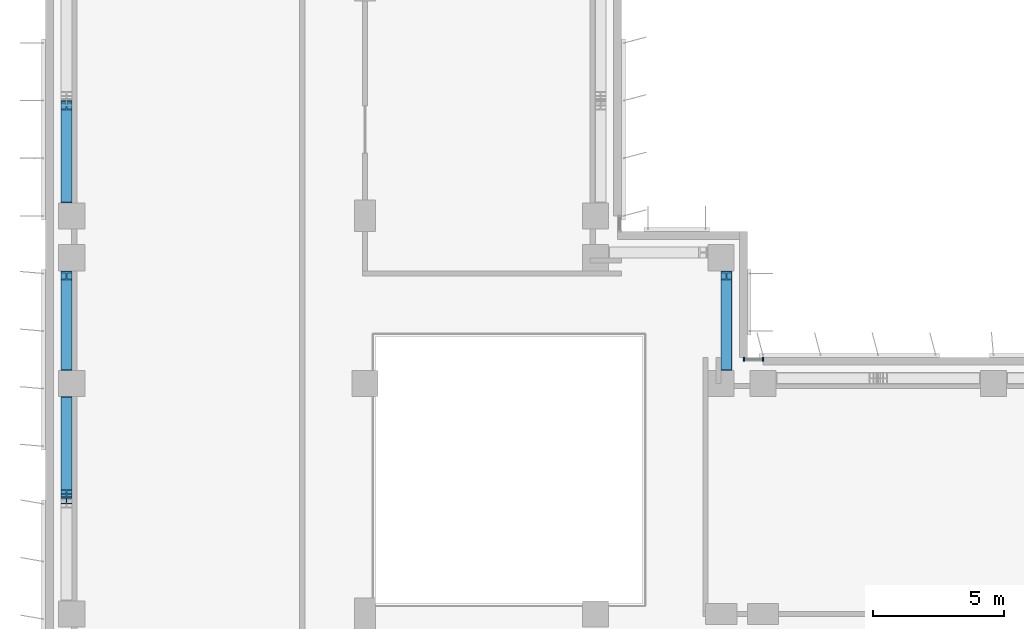
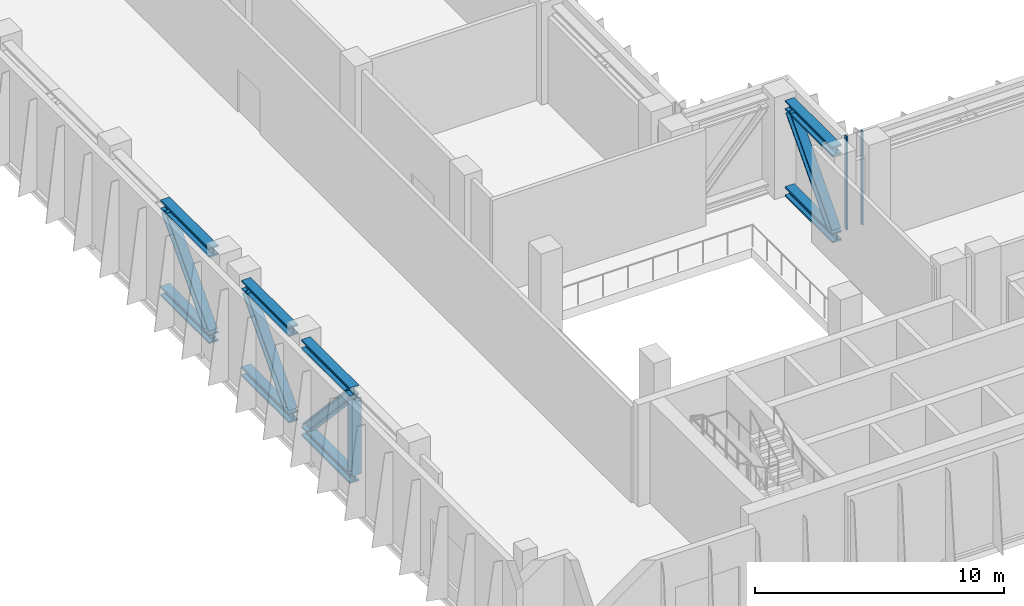
# One storey, part 2 of 17: 8 beams, 7 members, 1 element without a shape of its own.
"""IFC4 building model written with IfcOpenShell, lengths in metres."""

from ifc_helpers import new_model, si_unit, direction, frame, origin, origin_2d, place, context, subcontext, project, spatial, rectangle, i_section, extrude, source, transform, mapped, material, material_profile, profile_set, type_object, element, aggregate, save


model = new_model("IFC4")

# Units and contexts
model_context = context("Model", 3, precision=1e-05, world=origin(), true_north=direction((0.0, 1.0)))
body_context = subcontext(model_context, "Body", "Model", "MODEL_VIEW")
ifc_project = project(units=[si_unit("LENGTHUNIT", "METRE"), si_unit("AREAUNIT", "SQUARE_METRE"), si_unit("VOLUMEUNIT", "CUBIC_METRE"), si_unit("PLANEANGLEUNIT", "RADIAN"), si_unit("MASSUNIT", "GRAM", prefix="KILO")], contexts=[model_context])

# Site, building, storey
site_placement = place(None, origin())
site = spatial("IfcSite", under=ifc_project, at=site_placement, CompositionType="ELEMENT")
building_placement = place(site_placement, origin())
building = spatial("IfcBuilding", under=site, at=building_placement, Name="Kemantara Hotel Tower", CompositionType="ELEMENT")
storey_placement = place(building_placement, frame((0.0, 0.0, 193.800048828125)))
storey = spatial("IfcBuildingStorey", under=building, at=storey_placement, Name="L48", CompositionType="ELEMENT", Elevation=193.800048828125)

# Beams
ifc_material_1 = material(Name="Steel ASTM A992 Grade 50", Category="steel")
ifc_material_profile_1 = material_profile(ifc_material_1, i_section(OverallWidth=0.424072265625, OverallDepth=0.47509765625, WebThickness=0.0478515625, FlangeThickness=0.0771484375, at=origin_2d()), Name="W360X634")
ifc_profile_set_1 = profile_set([ifc_material_profile_1], Name="Steel ASTM A992 Grade 50")
beam_type = type_object("IfcBeamType", Name="BELT L48 TRUSS CHORD W360X634", PredefinedType="BEAM", material=ifc_profile_set_1)
for number, where, z_axis, x_axis, name in (
    (1, (0.800048828125, 16.60009765625, 0.237548828125), (0.0, 1.0, 0.0), (-1.0, 0.0, 0.0), "BELT L48 BAY 1 bottom chord 2"),
    (2, (0.800048828125, 16.60009765625, 4.46240234375), (0.0, 1.0, 0.0), (-1.0, 0.0, 0.0), "BELT L48 BAY 1 top chord 2"),
):
    element("IfcBeam", number, at=place(storey_placement, frame(where, z_axis=z_axis, x_axis=x_axis)), inside=storey, type_object=beam_type, Name=name, PredefinedType="BEAM", context=body_context, shape_type="SweptSolid", body=[
        extrude(i_section(OverallWidth=0.424072265625, OverallDepth=0.47509765625, WebThickness=0.0478515625, FlangeThickness=0.0771484375, at=origin_2d()), origin(), (0.0, 0.0, 1.0), 3.89990234375),
    ])
for number, where, z_axis, x_axis, name in (
    (3, (0.800048828125, 21.5, 0.237548828125), (0.0, 1.0, 0.0), (-1.0, 0.0, 0.0), "BELT L48 BAY 2 bottom chord 1"),
    (4, (0.800048828125, 21.5, 4.46240234375), (0.0, 1.0, 0.0), (-1.0, 0.0, 0.0), "BELT L48 BAY 2 top chord 1"),
):
    element("IfcBeam", number, at=place(storey_placement, frame(where, z_axis=z_axis, x_axis=x_axis)), inside=storey, type_object=beam_type, Name=name, PredefinedType="BEAM", context=body_context, shape_type="SweptSolid", body=[
        extrude(i_section(OverallWidth=0.424072265625, OverallDepth=0.47509765625, WebThickness=0.0478515625, FlangeThickness=0.0771484375, at=origin_2d()), origin(), (0.0, 0.0, 1.0), 3.800048828125),
    ])
for number, where, z_axis, x_axis, name in (
    (5, (0.800048828125, 27.89990234375, 0.237548828125), (0.0, 1.0, 0.0), (-1.0, 0.0, 0.0), "BELT L48 BAY 4 bottom chord 1"),
    (6, (0.800048828125, 27.89990234375, 4.46240234375), (0.0, 1.0, 0.0), (-1.0, 0.0, 0.0), "BELT L48 BAY 4 top chord 1"),
):
    element("IfcBeam", number, at=place(storey_placement, frame(where, z_axis=z_axis, x_axis=x_axis)), inside=storey, type_object=beam_type, Name=name, PredefinedType="BEAM", context=body_context, shape_type="SweptSolid", body=[
        extrude(i_section(OverallWidth=0.424072265625, OverallDepth=0.47509765625, WebThickness=0.0478515625, FlangeThickness=0.0771484375, at=origin_2d()), origin(), (0.0, 0.0, 1.0), 3.900146484375),
    ])
for number, where, z_axis, x_axis, name in (
    (7, (26.0, 21.5, 0.237548828125), (0.0, 1.0, 0.0), (-1.0, 0.0, 0.0), "BELT L48 BAY 11 bottom chord 1"),
    (8, (26.0, 21.5, 4.46240234375), (0.0, 1.0, 0.0), (-1.0, 0.0, 0.0), "BELT L48 BAY 11 top chord 1"),
):
    element("IfcBeam", number, at=place(storey_placement, frame(where, z_axis=z_axis, x_axis=x_axis)), inside=storey, type_object=beam_type, Name=name, PredefinedType="BEAM", context=body_context, shape_type="SweptSolid", body=[
        extrude(i_section(OverallWidth=0.424072265625, OverallDepth=0.47509765625, WebThickness=0.0478515625, FlangeThickness=0.0771484375, at=origin_2d()), origin(), (0.0, 0.0, 1.0), 3.800048828125),
    ])

# Members
ifc_material_profile_2 = material_profile(ifc_material_1, i_section(OverallWidth=0.410888671875, OverallDepth=0.43408203125, WebThickness=0.035888671875, FlangeThickness=0.057373046875, at=origin_2d()), Name="W360X463")
ifc_profile_set_2 = profile_set([ifc_material_profile_2], Name="Steel ASTM A992 Grade 50")
member_type_1 = type_object("IfcMemberType", Name="BELT L48 TRUSS DIAGONAL W360X463", PredefinedType="BRACE", material=ifc_profile_set_2)
member_1_placement = place(storey_placement, frame((0.800048828125, 20.3017578125, 0.4521484375), z_axis=(0.0, -0.678252619101, 0.734828813182), x_axis=(1.0, 0.0, 0.0)))
element("IfcMember", 9, at=member_1_placement, inside=storey, type_object=member_type_1, Name="BELT L48 BAY 1 diagonal 2", PredefinedType="BRACE", context=body_context, shape_type="SweptSolid", body=[
    extrude(i_section(OverallWidth=0.410888671875, OverallDepth=0.43408203125, WebThickness=0.035888671875, FlangeThickness=0.057373046875, at=origin_2d()), origin(), (0.0, 0.0, 1.0), 5.165283203125),
])
member_2_placement = place(storey_placement, frame((0.800048828125, 21.693115234375, 0.4521484375), z_axis=(0.0, 0.66871897102, 0.743515257273), x_axis=(-1.0, 0.0, 0.0)))
element("IfcMember", 10, at=member_2_placement, inside=storey, type_object=member_type_1, Name="BELT L48 BAY 2 diagonal 1", PredefinedType="BRACE", context=body_context, shape_type="SweptSolid", body=[
    extrude(i_section(OverallWidth=0.410888671875, OverallDepth=0.43408203125, WebThickness=0.035888671875, FlangeThickness=0.057373046875, at=origin_2d()), origin(), (0.0, 0.0, 1.0), 5.10498046875),
])
member_3_placement = place(storey_placement, frame((0.800048828125, 28.09814453125, 0.4521484375), z_axis=(0.0, 0.678278139711, 0.734805256643), x_axis=(-1.0, 0.0, 0.0)))
element("IfcMember", 11, at=member_3_placement, inside=storey, type_object=member_type_1, Name="BELT L48 BAY 4 diagonal 1", PredefinedType="BRACE", context=body_context, shape_type="SweptSolid", body=[
    extrude(i_section(OverallWidth=0.410888671875, OverallDepth=0.43408203125, WebThickness=0.035888671875, FlangeThickness=0.057373046875, at=origin_2d()), origin(), (0.0, 0.0, 1.0), 5.16552734375),
])
member_4_placement = place(storey_placement, frame((26.0, 21.693115234375, 0.4521484375), z_axis=(0.0, 0.66871897102, 0.743515257273), x_axis=(-1.0, 0.0, 0.0)))
element("IfcMember", 12, at=member_4_placement, inside=storey, type_object=member_type_1, Name="BELT L48 BAY 11 diagonal 1", PredefinedType="BRACE", context=body_context, shape_type="SweptSolid", body=[
    extrude(i_section(OverallWidth=0.410888671875, OverallDepth=0.43408203125, WebThickness=0.035888671875, FlangeThickness=0.057373046875, at=origin_2d()), origin(), (0.0, 0.0, 1.0), 5.10498046875),
])
ifc_material_profile_3 = material_profile(ifc_material_1, i_section(OverallWidth=0.404052734375, OverallDepth=0.406005859375, WebThickness=0.027099609375, FlangeThickness=0.043701171875, at=origin_2d()), Name="W360X347")
ifc_profile_set_3 = profile_set([ifc_material_profile_3], Name="Steel ASTM A992 Grade 50")
member_type_2 = type_object("IfcMemberType", Name="BELT L48 TRUSS POST W360X347", PredefinedType="POST", material=ifc_profile_set_3)
member_5_placement = place(storey_placement, frame((0.800048828125, 16.60009765625, 0.474853515625), z_axis=(0.0, 0.0, 1.0), x_axis=(1.0, 0.0, 0.0)))
element("IfcMember", 13, at=member_5_placement, inside=storey, type_object=member_type_2, Name="BELT L48 BAY 1 post 2", PredefinedType="POST", context=body_context, shape_type="SweptSolid", body=[
    extrude(i_section(OverallWidth=0.404052734375, OverallDepth=0.406005859375, WebThickness=0.027099609375, FlangeThickness=0.043701171875, at=origin_2d()), origin(), (0.0, 0.0, 1.0), 3.75),
])

# Curtain wall, members
ifc_material_2 = material(Name="Low-E tinted double insulated glass 36 mm", Category="glass")
curtain_wall_type = type_object("IfcCurtainWallType", Name="TOWER CURTAIN WALL, FRONT FACES", PredefinedType="USERDEFINED", material=ifc_material_2)
curtain_wall_placement = place(storey_placement, origin())
curtain_wall = element("IfcCurtainWall", 14, at=curtain_wall_placement, inside=storey, type_object=curtain_wall_type, Name="CW4 L48 T3-R14-2", ObjectType="TOWER CURTAIN WALL, FRONT FACES", PredefinedType="USERDEFINED")
ifc_material_3 = material(Name="Aluminium 6063-T6 bronze anodised", Category="aluminium")
ifc_material_profile_4 = material_profile(ifc_material_3, rectangle(XDim=0.14990234375, YDim=0.06005859375, at=origin_2d()), Name="TOWER CURTAIN WALL, FRONT FACES MULLION")
ifc_profile_set_4 = profile_set([ifc_material_profile_4], Name="Aluminium 6063-T6 bronze anodised")
member_type_3 = type_object("IfcMemberType", Name="TOWER CURTAIN WALL, FRONT FACES MULLION", PredefinedType="MULLION", material=ifc_profile_set_4)
shared_shape = source(origin(), body_context, "Body", "SweptSolid", [
    extrude(rectangle(XDim=0.14990234375, YDim=0.06005859375, at=origin_2d()), origin(), (0.0, 0.0, 1.0), 4.580078125),
])
member_6_placement = place(storey_placement, frame((27.39990234375, 21.925048828125, 0.119873046875), z_axis=(0.0, 0.0, 1.0), x_axis=(0.0, -1.0, 0.0)))
member_6 = element("IfcMember", 15, at=member_6_placement, type_object=member_type_3, Name="CW4 mullion T3-R14-2.1", PredefinedType="MULLION", context=body_context, shape_type="MappedRepresentation", body=[
    mapped(shared_shape, transform((0.0, 0.0, 0.0))),
])
member_7_placement = place(storey_placement, frame((26.679931640625, 21.925048828125, 0.119873046875), z_axis=(0.0, 0.0, 1.0), x_axis=(0.0, -1.0, 0.0)))
member_7 = element("IfcMember", 16, at=member_7_placement, type_object=member_type_3, Name="CW4 mullion T3-R14-2.2", PredefinedType="MULLION", context=body_context, shape_type="MappedRepresentation", body=[
    mapped(shared_shape, transform((0.0, 0.0, 0.0))),
])
aggregate(curtain_wall, [member_6, member_7])

save(model, "model.ifc")
